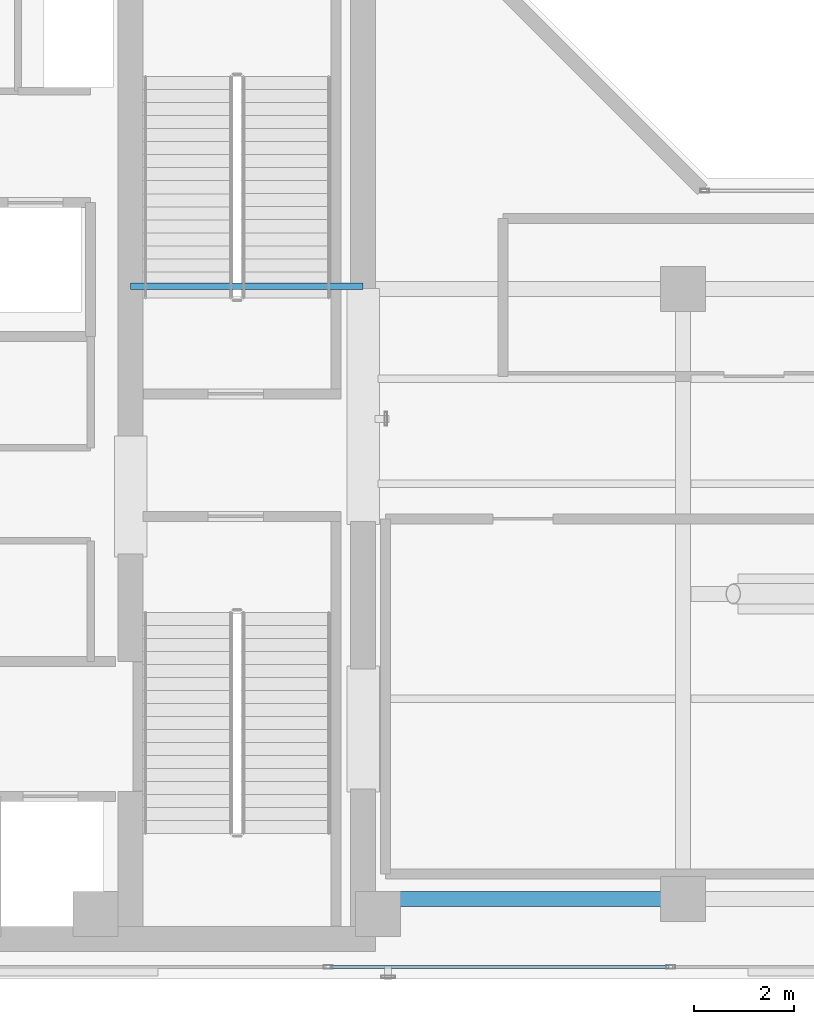
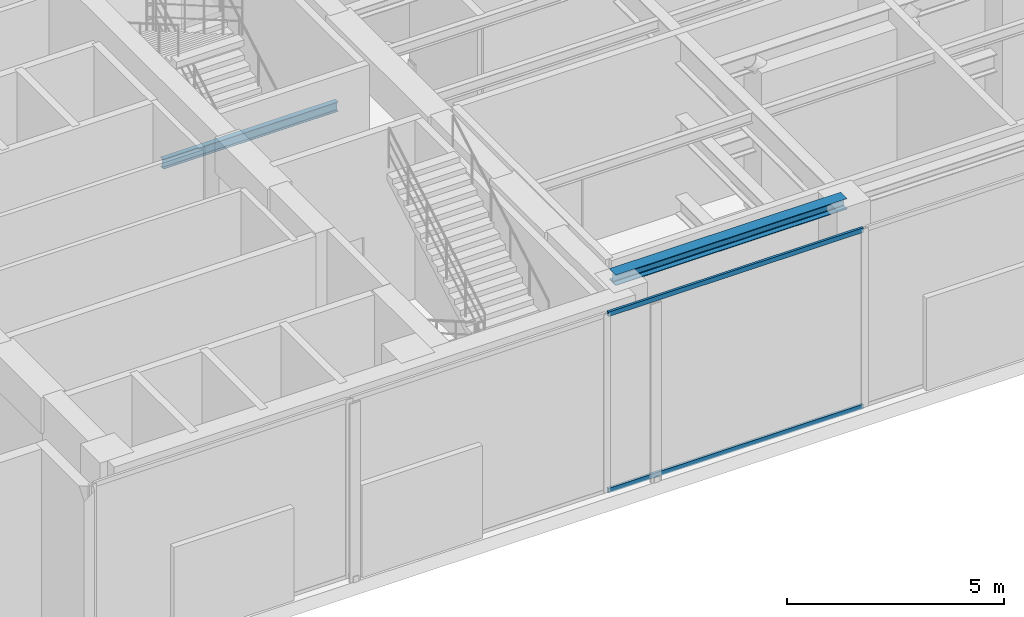
# One storey, part 5 of 29: 2 beams, 2 members, 1 element without a shape of its own.
"""IFC4 building model written with IfcOpenShell, lengths in metres."""

from ifc_helpers import new_model, si_unit, direction, frame, origin, origin_with_axes, origin_2d, place, context, subcontext, project, spatial, hollow_rectangle, i_section, extrude, source, transform, mapped, material, layer, layer_set, material_profile, profile_set, type_object, element, aggregate, save


model = new_model("IFC4")

# Units and contexts
model_context = context("Model", 3, precision=1e-05, world=origin(), true_north=direction((0.0, 1.0)))
body_context = subcontext(model_context, "Body", "Model", "MODEL_VIEW")
ifc_project = project(units=[si_unit("LENGTHUNIT", "METRE"), si_unit("AREAUNIT", "SQUARE_METRE"), si_unit("VOLUMEUNIT", "CUBIC_METRE"), si_unit("PLANEANGLEUNIT", "RADIAN"), si_unit("MASSUNIT", "GRAM", prefix="KILO")], contexts=[model_context])

# Site, building, storey
site_placement = place(None, origin())
site = spatial("IfcSite", under=ifc_project, at=site_placement, CompositionType="ELEMENT")
building_placement = place(site_placement, origin())
building = spatial("IfcBuilding", under=site, at=building_placement, Name="Kolvaren Waterfront Exchange", CompositionType="ELEMENT")
storey_placement = place(building_placement, frame((0.0, 0.0, 338.800048828125)))
storey = spatial("IfcBuildingStorey", under=building, at=storey_placement, Name="L87", CompositionType="ELEMENT", Elevation=338.800048828125)

# Beams
ifc_material_1 = material(Name="Steel S355", Category="steel")
ifc_material_profile_1 = material_profile(ifc_material_1, i_section(OverallWidth=0.300048828125, OverallDepth=0.300048828125, WebThickness=0.010986328125, FlangeThickness=0.01904296875, FilletRadius=0.027099609375, at=origin_2d()), Name="HEB300")
ifc_profile_set_1 = profile_set([ifc_material_profile_1], Name="Steel S355")
beam_type_1 = type_object("IfcBeamType", Name="STR-BM-HEB300", PredefinedType="SPANDREL", material=ifc_profile_set_1)
beam_1_placement = place(storey_placement, frame((21.050048828125, 5.199951171875, 4.869873046875), z_axis=(1.0, 0.0, 0.0), x_axis=(0.0, 1.0, 0.0)))
element("IfcBeam", 1, at=beam_1_placement, inside=storey, type_object=beam_type_1, Name="L87 east-arm spandrel S1", PredefinedType="SPANDREL", context=body_context, shape_type="SweptSolid", body=[
    extrude(i_section(OverallWidth=0.300048828125, OverallDepth=0.300048828125, WebThickness=0.010986328125, FlangeThickness=0.01904296875, FilletRadius=0.027099609375, at=origin_2d()), origin(), (0.0, 0.0, 1.0), 6.14990234375),
])
ifc_material_profile_2 = material_profile(ifc_material_1, i_section(OverallWidth=0.135009765625, OverallDepth=0.27001953125, WebThickness=0.006591796875, FlangeThickness=0.01025390625, FilletRadius=0.014892578125, at=origin_2d()), Name="IPE270")
ifc_profile_set_2 = profile_set([ifc_material_profile_2], Name="Steel S355")
beam_type_2 = type_object("IfcBeamType", Name="STR-BM-IPE270", PredefinedType="LINTEL", material=ifc_profile_set_2)
beam_2_placement = place(storey_placement, frame((16.14990234375, 17.449951171875, 2.364990234375), z_axis=(1.0, 0.0, 0.0), x_axis=(0.0, 1.0, 0.0)))
element("IfcBeam", 2, at=beam_2_placement, inside=storey, type_object=beam_type_2, Name="L87 core stair header lintel", PredefinedType="LINTEL", context=body_context, shape_type="SweptSolid", body=[
    extrude(i_section(OverallWidth=0.135009765625, OverallDepth=0.27001953125, WebThickness=0.006591796875, FlangeThickness=0.01025390625, FilletRadius=0.014892578125, at=origin_2d()), origin(), (0.0, 0.0, 1.0), 4.650146484375),
])

# Curtain wall, members
ifc_material_2 = material(Name="Anodised dark bronze spandrel aluminium", Category="aluminium")
ifc_layer = layer(ifc_material_2, 0.219970703125, Name="Anodised dark bronze spandrel aluminium")
ifc_layer_set = layer_set([ifc_layer], Name="Anodised dark bronze spandrel aluminium")
curtain_wall_type = type_object("IfcCurtainWallType", Name="ARC-CW-SYS6", PredefinedType="USERDEFINED", material=ifc_layer_set)
curtain_wall_placement = place(storey_placement, origin())
curtain_wall = element("IfcCurtainWall", 3, at=curtain_wall_placement, inside=storey, type_object=curtain_wall_type, Name="L87 stick curtain wall CW6 (CW-L87-S)", ObjectType="STICK CURTAIN WALL", PredefinedType="USERDEFINED")
ifc_material_3 = material(Name="Anodised bronze aluminium 6063-T6", Category="aluminium")
ifc_material_profile_3 = material_profile(ifc_material_3, hollow_rectangle(XDim=0.06494140625, YDim=0.1298828125, WallThickness=0.00390625, at=origin_2d()), Name="ALU-TRN-130x65x4")
ifc_profile_set_3 = profile_set([ifc_material_profile_3], Name="Anodised bronze aluminium 6063-T6")
member_type = type_object("IfcMemberType", Name="ARC-CWT-130", PredefinedType="USERDEFINED", material=ifc_profile_set_3)
shared_shape = source(origin_with_axes(), body_context, "Body", "SweptSolid", [
    extrude(hollow_rectangle(XDim=0.06494140625, YDim=0.1298828125, WallThickness=0.00390625, at=origin_2d()), origin(), (0.0, 0.0, 1.0), 6.775146484375),
])
member_1_placement = place(storey_placement, frame((20.137451171875, 3.840087890625, 0.032470703125), z_axis=(1.0, 0.0, 0.0), x_axis=(0.0, 1.0, 0.0)))
member_1 = element("IfcMember", 4, at=member_1_placement, type_object=member_type, Name="CW6 transom 3.1", ObjectType="TRANSOM", PredefinedType="USERDEFINED", context=body_context, shape_type="MappedRepresentation", body=[
    mapped(shared_shape, transform((0.0, 0.0, 0.0), x_axis=(1.0, 0.0, 0.0), y_axis=(0.0, 1.0, 0.0), z_axis=(0.0, 0.0, 1.0), scale=1.0)),
])
member_2_placement = place(storey_placement, frame((20.137451171875, 3.840087890625, 4.987548828125), z_axis=(1.0, 0.0, 0.0), x_axis=(0.0, 1.0, 0.0)))
member_2 = element("IfcMember", 5, at=member_2_placement, type_object=member_type, Name="CW6 transom 3.2", ObjectType="TRANSOM", PredefinedType="USERDEFINED", context=body_context, shape_type="MappedRepresentation", body=[
    mapped(shared_shape, transform((0.0, 0.0, 0.0), x_axis=(1.0, 0.0, 0.0), y_axis=(0.0, 1.0, 0.0), z_axis=(0.0, 0.0, 1.0), scale=1.0)),
])
aggregate(curtain_wall, [member_1, member_2])

save(model, "model.ifc")
